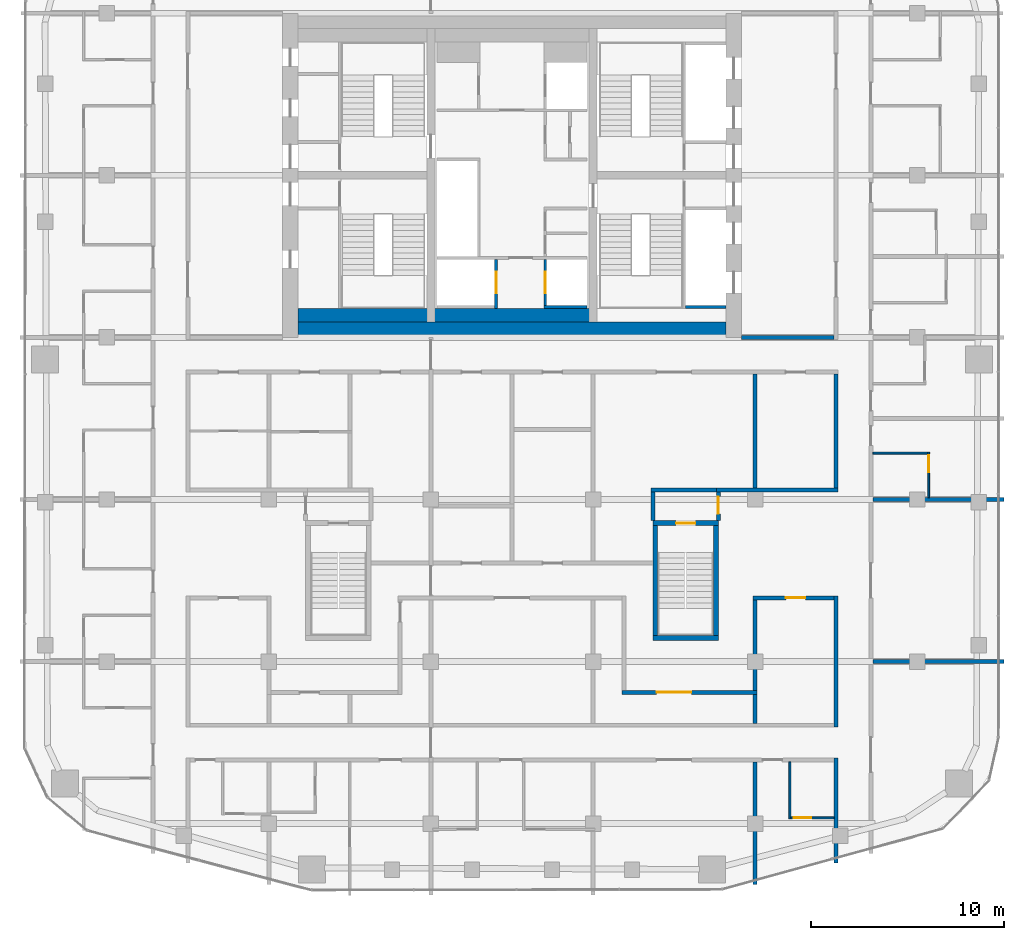
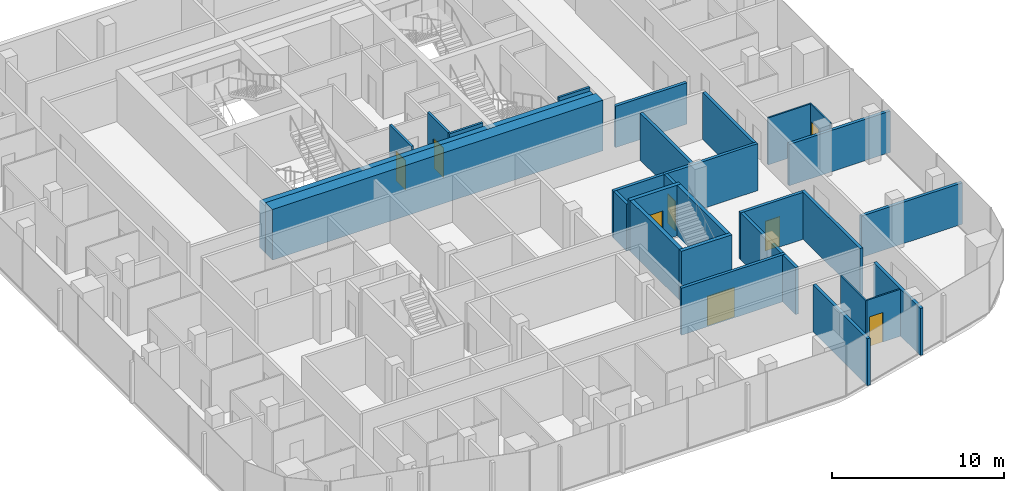
# One storey, part 16 of 21: 30 walls, 8 doors, 8 openings.
"""IFC4 building model written with IfcOpenShell, lengths in metres."""

import ifcopenshell
import ifcopenshell.guid

model = None  # the IFC model being written
_history = None  # IfcOwnerHistory: only IFC2X3 demands one
_inside = {}  # id of a spatial element -> (the spatial element, [elements in it])
_under = {}  # id of a project, library or spatial element -> (it, [spatial elements below it])
_declared = {}  # id of a project -> (the project, [libraries it declares])
_typed = {}  # id of a type object -> (the type object, [elements of that type])
_made_of = {}  # id of a material, layer set ... -> (it, [elements and type objects made of it])


def new_model(schema):
    """Start an empty IFC model of exactly this schema.

    Asked for "IFC4X3", IfcOpenShell would pick the latest addendum, in which some entities
    have other attributes; the version numbers below select the first issue.
    IFC2X3 requires an IfcOwnerHistory on every rooted entity: one is made here for all.
    """
    global model, _history
    if schema == "IFC4X3":
        model = ifcopenshell.file(schema_version=(4, 3, 0, 0))
    else:
        model = ifcopenshell.file(schema=schema)
    _inside.clear()
    _under.clear()
    _declared.clear()
    _typed.clear()
    _made_of.clear()
    _history = None
    if model.schema == "IFC2X3":
        org = make("IfcOrganization", Name="unknown")
        user = make(
            "IfcPersonAndOrganization",
            ThePerson=make("IfcPerson", FamilyName="unknown"),
            TheOrganization=org,
        )
        app = make(
            "IfcApplication",
            ApplicationDeveloper=org,
            Version="unknown",
            ApplicationFullName="unknown",
            ApplicationIdentifier="unknown",
        )
        _history = make(
            "IfcOwnerHistory",
            OwningUser=user,
            OwningApplication=app,
            ChangeAction="ADDED",
            CreationDate=0,
        )
    return model


def make(cls, **values):
    """One entity of the class cls with the attributes given. An attribute that is None is left unset."""
    return model.create_entity(
        cls, **{name: value for name, value in values.items() if value is not None}
    )


def rooted(cls, **values):
    """An entity with a GlobalId (a new one), such as an element, a storey or a relation."""
    return make(cls, GlobalId=ifcopenshell.guid.new(), OwnerHistory=_history, **values)


def si_unit(unit_type, name, prefix=None):
    """IfcSIUnit, for example si_unit("LENGTHUNIT", "METRE", prefix="MILLI")."""
    return make("IfcSIUnit", UnitType=unit_type, Prefix=prefix, Name=name)


def assignment(units):
    """IfcUnitAssignment: the units of a project."""
    return None if units is None else make("IfcUnitAssignment", Units=units)


def point(xyz):
    """IfcCartesianPoint."""
    return None if xyz is None else make("IfcCartesianPoint", Coordinates=xyz)


def direction(xyz):
    """IfcDirection."""
    return None if xyz is None else make("IfcDirection", DirectionRatios=xyz)


def frame(location, z_axis=None, x_axis=None):
    """IfcAxis2Placement3D, a coordinate frame: its origin and axes. An axis left out is left unset."""
    return make(
        "IfcAxis2Placement3D",
        Location=point(location),
        Axis=direction(z_axis),
        RefDirection=direction(x_axis),
    )


def frame_2d(location, x_axis=None):
    """IfcAxis2Placement2D, a coordinate frame in the plane: its origin and x axis."""
    return make(
        "IfcAxis2Placement2D", Location=point(location), RefDirection=direction(x_axis)
    )


def origin():
    """The frame at (0, 0, 0) with its axes left unset."""
    return frame((0.0, 0.0, 0.0))


def place(relative_to, where):
    """IfcLocalPlacement: puts the frame where relative to a parent placement (None: the world)."""
    return make(
        "IfcLocalPlacement", PlacementRelTo=relative_to, RelativePlacement=where
    )


def context(
    kind, dimensions, precision=None, world=None, true_north=None, identifier=None
):
    """IfcGeometricRepresentationContext, for example the 3D "Model" context."""
    return make(
        "IfcGeometricRepresentationContext",
        ContextIdentifier=identifier,
        ContextType=kind,
        CoordinateSpaceDimension=dimensions,
        Precision=precision,
        WorldCoordinateSystem=world,
        TrueNorth=true_north,
    )


def subcontext(parent, identifier, kind, view, scale=None):
    """IfcGeometricRepresentationSubContext, for example "Body" below "Model"."""
    return make(
        "IfcGeometricRepresentationSubContext",
        ContextIdentifier=identifier,
        ContextType=kind,
        ParentContext=parent,
        TargetScale=scale,
        TargetView=view,
    )


def project(units=None, contexts=None):
    """IfcProject with its units and contexts."""
    return rooted(
        "IfcProject",
        Name="project",
        RepresentationContexts=contexts,
        UnitsInContext=assignment(units),
    )


def spatial(cls, under=None, at=None, **own):
    """A site, building, storey or space (cls), placed at a placement, below another one or the project."""
    s = rooted(cls, ObjectPlacement=at, **own)
    if under is not None:
        _under.setdefault(under.id(), (under, []))[1].append(s)
    return s


def profile(cls, at=None, kind="AREA", **sizes):
    """A parametric profile (cls). Its sizes go by their IFC names, for example OverallWidth=200.0."""
    return make(cls, ProfileType=kind, Position=at, **sizes)


def rectangle(**sizes):
    """IfcRectangleProfileDef."""
    return profile("IfcRectangleProfileDef", **sizes)


def extrude(swept, where, along, depth):
    """IfcExtrudedAreaSolid: the profile swept, set in the frame where, extruded along a direction by depth."""
    return make(
        "IfcExtrudedAreaSolid",
        SweptArea=swept,
        Position=where,
        ExtrudedDirection=direction(along),
        Depth=depth,
    )


def shape(context_of_items, identifier, shape_type, items):
    """IfcShapeRepresentation: the items that make up one representation, for example the "Body"."""
    return make(
        "IfcShapeRepresentation",
        ContextOfItems=context_of_items,
        RepresentationIdentifier=identifier,
        RepresentationType=shape_type,
        Items=items,
    )


def material(Name=None, Category=None):
    """IfcMaterial."""
    return make("IfcMaterial", Name=Name, Category=Category)


def layer(
    of_material, thickness, ventilated=None, Name=None, Category=None, Priority=None
):
    """IfcMaterialLayer: one layer of a wall or slab, of a material (None: an air gap)."""
    return make(
        "IfcMaterialLayer",
        Material=of_material,
        LayerThickness=thickness,
        IsVentilated=ventilated,
        Name=Name,
        Category=Category,
        Priority=Priority,
    )


def layer_set(layers, Name=None):
    """IfcMaterialLayerSet."""
    return make("IfcMaterialLayerSet", MaterialLayers=layers, LayerSetName=Name)


def made_of(thing, what):
    """Note that an element or type object is made of a material, layer set ...; save() writes the relation."""
    if what is not None:
        _made_of.setdefault(what.id(), (what, []))[1].append(thing)
    return thing


def type_object(cls, material=None, **own):
    """A type object (cls), such as IfcWallType, which elements share."""
    return made_of(rooted(cls, **own), material)


def element(
    cls,
    number,
    at=None,
    inside=None,
    cuts=None,
    type_object=None,
    material=None,
    context=None,
    identifier="Body",
    shape_type=None,
    held_by="IfcProductDefinitionShape",
    body=None,
    shapes=None,
    **own,
):
    """One element of the class cls, such as IfcWall. Its Tag is "e" and its number.

    at: its placement. inside: the storey or other place that contains it. cuts: it is an
    opening in that element (IfcRelVoidsElement). A single representation is given by context,
    identifier, shape_type and body (its items); several are given by shapes. held_by: the class
    of the entity that holds the representations. save() writes the other relations.
    """
    e = rooted(cls, Tag="e%d" % number, ObjectPlacement=at, **own)
    if body is not None:
        shapes = [shape(context, identifier, shape_type, body)]
    if shapes is not None:
        e.Representation = make(held_by, Representations=shapes)
    if inside is not None:
        _inside.setdefault(inside.id(), (inside, []))[1].append(e)
    if cuts is not None:
        rooted(
            "IfcRelVoidsElement", RelatingBuildingElement=cuts, RelatedOpeningElement=e
        )
    if type_object is not None:
        _typed.setdefault(type_object.id(), (type_object, []))[1].append(e)
    return made_of(e, material)


def fill(opening, filler):
    """IfcRelFillsElement: the door or window that sits in an opening."""
    return rooted(
        "IfcRelFillsElement",
        RelatingOpeningElement=opening,
        RelatedBuildingElement=filler,
    )


def aggregate(whole, parts):
    """IfcRelAggregates: a whole, such as a stair, and the parts it consists of."""
    return rooted("IfcRelAggregates", RelatingObject=whole, RelatedObjects=parts)


def save(model, path):
    """Write the relations noted so far, then the file.

    IfcRelAggregates (storeys below a building ...), IfcRelContainedInSpatialStructure (elements
    in a storey), IfcRelDefinesByType, IfcRelAssociatesMaterial and IfcRelDeclares: one each for
    every whole, place, type object, material and project.
    """
    for whole, parts in _under.values():
        aggregate(whole, parts)
    for where, things in _inside.values():
        rooted(
            "IfcRelContainedInSpatialStructure",
            RelatedElements=things,
            RelatingStructure=where,
        )
    for kind, things in _typed.values():
        rooted("IfcRelDefinesByType", RelatedObjects=things, RelatingType=kind)
    for what, things in _made_of.values():
        rooted("IfcRelAssociatesMaterial", RelatedObjects=things, RelatingMaterial=what)
    for by, libraries in _declared.values():
        rooted("IfcRelDeclares", RelatingContext=by, RelatedDefinitions=libraries)
    model.write(path)


model = new_model("IFC4")

# Units and contexts
model_context = context("Model", 3, precision=1e-05, world=origin(), true_north=direction((0.0, 1.0)))
body_context = subcontext(model_context, "Body", "Model", "MODEL_VIEW")
ifc_project = project(units=[si_unit("LENGTHUNIT", "METRE"), si_unit("AREAUNIT", "SQUARE_METRE"), si_unit("VOLUMEUNIT", "CUBIC_METRE"), si_unit("PLANEANGLEUNIT", "RADIAN"), si_unit("MASSUNIT", "GRAM", prefix="KILO")], contexts=[model_context])

# Site, building, storey
site_placement = place(None, origin())
site = spatial("IfcSite", under=ifc_project, at=site_placement, CompositionType="ELEMENT")
building_placement = place(site_placement, origin())
building = spatial("IfcBuilding", under=site, at=building_placement, Name="Marenta Gate Hotel Tower", CompositionType="ELEMENT")
storey_placement = place(building_placement, frame((0.0, 0.0, 245.300048828125)))
storey = spatial("IfcBuildingStorey", under=building, at=storey_placement, Name="L58", CompositionType="ELEMENT", Elevation=245.300048828125)

# Walls
ifc_material_1 = material(Name="Concrete blockwork", Category="masonry")
ifc_layer_1 = layer(ifc_material_1, 0.199951171875)
ifc_layer_set_1 = layer_set([ifc_layer_1], Name="Concrete blockwork")
wall_type_1 = type_object("IfcWallType", Name="Core boundary wall 200 REI 180", PredefinedType="PARTITIONING", material=ifc_layer_set_1)
wall_1_placement = place(storey_placement, frame((11.89990234375, 0.0, 0.0), z_axis=(0.0, 0.0, 1.0), x_axis=(1.0, 0.0, 0.0)))
element("IfcWall", 1, at=wall_1_placement, inside=storey, type_object=wall_type_1, Name="L58-CP-EW-ES", PredefinedType="PARTITIONING", context=body_context, shape_type="SweptSolid", body=[
    extrude(rectangle(XDim=4.800048828125, YDim=0.199951171875, at=frame_2d((2.39990234375, 0.0))), origin(), (0.0, 0.0, 1.0), 2.93994140625),
])
ifc_material_2 = material(Name="Concrete C40", Category="concrete")
ifc_layer_2 = layer(ifc_material_2, 0.699951171875)
ifc_layer_set_2 = layer_set([ifc_layer_2], Name="Concrete C40")
wall_type_2 = type_object("IfcWallType", Name="Core lining wall 700 REI 180", PredefinedType="PARTITIONING", material=ifc_layer_set_2)
wall_2_placement = place(storey_placement, frame((-11.10009765625, 1.14990234375, 0.0), z_axis=(0.0, 0.0, 1.0), x_axis=(1.0, 0.0, 0.0)))
element("IfcWall", 2, at=wall_2_placement, inside=storey, type_object=wall_type_2, Name="L58-CP-LN-S", PredefinedType="PARTITIONING", context=body_context, shape_type="SweptSolid", body=[
    extrude(rectangle(XDim=22.2001953125, YDim=0.699951171875, at=frame_2d((11.10009765625, 0.0))), origin(), (0.0, 0.0, 1.0), 3.33984375),
])
ifc_material_3 = material(Name="Concrete C40", Category="concrete")
ifc_layer_3 = layer(ifc_material_3, 0.14990234375)
ifc_layer_set_3 = layer_set([ifc_layer_3], Name="Concrete C40")
wall_type_3 = type_object("IfcWallType", Name="Core shaft wall 150 REI 180", PredefinedType="SHEAR", material=ifc_layer_set_3)
wall_3_placement = place(storey_placement, frame((9.0, 1.574951171875, 0.0), z_axis=(0.0, 0.0, 1.0), x_axis=(1.0, 0.0, 0.0)))
element("IfcWall", 3, at=wall_3_placement, inside=storey, type_object=wall_type_3, Name="L58-SHF-SW-ES-5", PredefinedType="SHEAR", context=body_context, shape_type="SweptSolid", body=[
    extrude(rectangle(XDim=2.10009765625, YDim=0.14990234375, at=frame_2d((1.050048828125, 0.0))), origin(), (0.0, 0.0, 1.0), 3.599853515625),
])

# Wall, opening, door
wall_4_placement = place(storey_placement, frame((-0.824951171875, 1.5, 0.0), z_axis=(0.0, 0.0, 1.0), x_axis=(0.0, 1.0, 0.0)))
wall_4 = element("IfcWall", 4, at=wall_4_placement, inside=storey, type_object=wall_type_3, Name="L58-SHF-CW-W-ff", PredefinedType="SHEAR", context=body_context, shape_type="SweptSolid", body=[
    extrude(rectangle(XDim=2.550048828125, YDim=0.14990234375, at=frame_2d((1.27490234375, 0.0))), origin(), (0.0, 0.0, 1.0), 3.599853515625),
])
opening_1_placement = place(wall_4_placement, frame((0.800048828125, 0.0, 0.0)))
opening_1 = element("IfcOpeningElement", 5, at=opening_1_placement, cuts=wall_4, Name="Opening LD-FF1", PredefinedType="OPENING", context=body_context, shape_type="SweptSolid", body=[
    extrude(rectangle(XDim=1.10009765625, YDim=2.10009765625, at=frame_2d((0.550048828125, 1.050048828125))), frame((0.0, 0.074951171875, 0.0), z_axis=(0.0, -1.0, 0.0), x_axis=(1.0, 0.0, 0.0)), (0.0, 0.0, 1.0), 0.14990234375),
])
ifc_material_4 = material(Name="Steel", Category="steel")
door_type_1 = type_object("IfcDoorType", Name="Core lift landing door 1100x2100 E 60", OperationType="SLIDING_TO_LEFT", PredefinedType="DOOR", material=ifc_material_4)
door_1_placement = place(opening_1_placement, origin())
door_1 = element("IfcDoor", 6, at=door_1_placement, inside=storey, type_object=door_type_1, Name="LD-FF1", OperationType="SLIDING_TO_LEFT", OverallHeight=2.10009765625, OverallWidth=1.10009765625, PredefinedType="DOOR", context=body_context, shape_type="SweptSolid", body=[
    extrude(rectangle(XDim=1.10009765625, YDim=2.10009765625, at=frame_2d((0.550048828125, 1.050048828125))), frame((0.0, 0.02490234375, 0.0), z_axis=(0.0, -1.0, 0.0), x_axis=(1.0, 0.0, 0.0)), (0.0, 0.0, 1.0), 0.050048828125),
])
fill(opening_1, door_1)

wall_5_placement = place(storey_placement, frame((1.72509765625, 1.64990234375, 0.0), z_axis=(0.0, 0.0, 1.0), x_axis=(0.0, 1.0, 0.0)))
wall_5 = element("IfcWall", 7, at=wall_5_placement, inside=storey, type_object=wall_type_3, Name="L58-SHF-CE-S-ls", PredefinedType="SHEAR", context=body_context, shape_type="SweptSolid", body=[
    extrude(rectangle(XDim=2.400146484375, YDim=0.14990234375, at=frame_2d((1.2001953125, 0.0))), origin(), (0.0, 0.0, 1.0), 3.599853515625),
])
opening_2_placement = place(wall_5_placement, frame((0.64990234375, 0.0, 0.0)))
opening_2 = element("IfcOpeningElement", 8, at=opening_2_placement, cuts=wall_5, Name="Opening LD-SV1", PredefinedType="OPENING", context=body_context, shape_type="SweptSolid", body=[
    extrude(rectangle(XDim=1.10009765625, YDim=2.10009765625, at=frame_2d((0.550048828125, 1.050048828125))), frame((0.0, 0.074951171875, 0.0), z_axis=(0.0, -1.0, 0.0), x_axis=(1.0, 0.0, 0.0)), (0.0, 0.0, 1.0), 0.14990234375),
])
door_2_placement = place(opening_2_placement, origin())
door_2 = element("IfcDoor", 9, at=door_2_placement, inside=storey, type_object=door_type_1, Name="LD-SV1", OperationType="SLIDING_TO_LEFT", OverallHeight=2.10009765625, OverallWidth=1.10009765625, PredefinedType="DOOR", context=body_context, shape_type="SweptSolid", body=[
    extrude(rectangle(XDim=1.10009765625, YDim=2.10009765625, at=frame_2d((0.550048828125, 1.050048828125))), frame((0.0, 0.02490234375, 0.0), z_axis=(0.0, -1.0, 0.0), x_axis=(1.0, 0.0, 0.0)), (0.0, 0.0, 1.0), 0.050048828125),
])
fill(opening_2, door_2)

# Walls
wall_6_placement = place(storey_placement, frame((1.64990234375, 1.574951171875, 0.0), z_axis=(0.0, 0.0, 1.0), x_axis=(1.0, 0.0, 0.0)))
element("IfcWall", 10, at=wall_6_placement, inside=storey, type_object=wall_type_3, Name="L58-SHF-CE-S-bot", PredefinedType="SHEAR", context=body_context, shape_type="SweptSolid", body=[
    extrude(rectangle(XDim=2.25, YDim=0.14990234375, at=frame_2d((1.125, 0.0))), origin(), (0.0, 0.0, 1.0), 3.599853515625),
])
ifc_material_5 = material(Name="Concrete C60", Category="concrete")
ifc_layer_4 = layer(ifc_material_5, 0.800048828125)
ifc_layer_set_4 = layer_set([ifc_layer_4], Name="Concrete C60")
wall_type_4 = type_object("IfcWallType", Name="Core wall 800 C60", PredefinedType="SHEAR", material=ifc_layer_set_4)
wall_7_placement = place(storey_placement, frame((-11.10009765625, 0.39990234375, 0.0), z_axis=(0.0, 0.0, 1.0), x_axis=(1.0, 0.0, 0.0)))
element("IfcWall", 11, at=wall_7_placement, inside=storey, type_object=wall_type_4, Name="L58-CORE-S", PredefinedType="SHEAR", context=body_context, shape_type="SweptSolid", body=[
    extrude(rectangle(XDim=22.2001953125, YDim=0.800048828125, at=frame_2d((11.10009765625, 0.0))), origin(), (0.0, 0.0, 1.0), 3.599853515625),
])
ifc_material_6 = material(Name="Concrete C40", Category="concrete")
ifc_layer_5 = layer(ifc_material_6, 0.25)
ifc_layer_set_5 = layer_set([ifc_layer_5], Name="Concrete C40")
wall_type_5 = type_object("IfcWallType", Name="Remote stair enclosure wall 250 REI 180", PredefinedType="SHEAR", material=ifc_layer_set_5)
wall_8_placement = place(storey_placement, frame((7.300048828125, -15.574951171875, 0.099853515625), z_axis=(0.0, 0.0, 1.0), x_axis=(1.0, 0.0, 0.0)))
element("IfcWall", 12, at=wall_8_placement, inside=storey, type_object=wall_type_5, Name="L58-RS-Z3-2-W1", PredefinedType="SHEAR", context=body_context, shape_type="SweptSolid", body=[
    extrude(rectangle(XDim=3.39990234375, YDim=0.25, at=frame_2d((1.699951171875, 0.0))), origin(), (0.0, 0.0, 1.0), 3.60009765625),
])

# Wall, opening, door
wall_9_placement = place(storey_placement, frame((7.300048828125, -9.625, 0.099853515625), z_axis=(0.0, 0.0, 1.0), x_axis=(1.0, 0.0, 0.0)))
wall_9 = element("IfcWall", 13, at=wall_9_placement, inside=storey, type_object=wall_type_5, Name="L58-RS-Z3-2-W2", PredefinedType="SHEAR", context=body_context, shape_type="SweptSolid", body=[
    extrude(rectangle(XDim=3.39990234375, YDim=0.25, at=frame_2d((1.699951171875, 0.0))), origin(), (0.0, 0.0, 1.0), 3.60009765625),
])
opening_3_placement = place(wall_9_placement, frame((1.199951171875, 0.0, 0.0)))
opening_3 = element("IfcOpeningElement", 14, at=opening_3_placement, cuts=wall_9, Name="Opening VD", PredefinedType="OPENING", context=body_context, shape_type="SweptSolid", body=[
    extrude(rectangle(XDim=1.0, YDim=2.10009765625, at=frame_2d((0.5, 1.050048828125))), frame((0.0, 0.125, 0.0), z_axis=(0.0, -1.0, 0.0), x_axis=(1.0, 0.0, 0.0)), (0.0, 0.0, 1.0), 0.25),
])
ifc_material_7 = material(Name="Steel", Category="steel")
door_type_2 = type_object("IfcDoorType", Name="Stair vestibule door 1000x2100 FD60", OperationType="SINGLE_SWING_LEFT", PredefinedType="DOOR", material=ifc_material_7)
door_3_placement = place(opening_3_placement, origin())
door_3 = element("IfcDoor", 15, at=door_3_placement, inside=storey, type_object=door_type_2, Name="VD", OperationType="SINGLE_SWING_LEFT", OverallHeight=2.10009765625, OverallWidth=1.0, PredefinedType="DOOR", context=body_context, shape_type="SweptSolid", body=[
    extrude(rectangle(XDim=1.0, YDim=2.10009765625, at=frame_2d((0.5, 1.050048828125))), frame((0.0, 0.02490234375, 0.0), z_axis=(0.0, -1.0, 0.0), x_axis=(1.0, 0.0, 0.0)), (0.0, 0.0, 1.0), 0.050048828125),
])
fill(opening_3, door_3)

# Walls
for number, where, z_axis, x_axis, name in (
    (16, (7.425048828125, -15.449951171875, 0.099853515625), (0.0, 0.0, 1.0), (0.0, 1.0, 0.0), "L58-RS-Z3-2-W3"),
    (17, (10.574951171875, -15.449951171875, 0.099853515625), (0.0, 0.0, 1.0), (0.0, 1.0, 0.0), "L58-RS-Z3-2-W4"),
):
    element("IfcWall", number, at=place(storey_placement, frame(where, z_axis=z_axis, x_axis=x_axis)), inside=storey, type_object=wall_type_5, Name=name, PredefinedType="SHEAR", context=body_context, shape_type="SweptSolid", body=[
        extrude(rectangle(XDim=5.699951171875, YDim=0.25, at=frame_2d((2.85009765625, 0.0))), origin(), (0.0, 0.0, 1.0), 3.60009765625),
    ])

# Wall, opening, door
ifc_material_8 = material(Name="Gypsum board on steel stud", Category="steel")
ifc_layer_6 = layer(ifc_material_8, 0.199951171875)
ifc_layer_set_6 = layer_set([ifc_layer_6], Name="Gypsum board on steel stud")
wall_type_6 = type_object("IfcWallType", Name="Room corridor wall 200 EI 60", PredefinedType="PARTITIONING", material=ifc_layer_set_6)
wall_10_placement = place(storey_placement, frame((5.699951171875, -18.39990234375, 0.0), z_axis=(0.0, 0.0, 1.0), x_axis=(1.0, 0.0, 0.0)))
wall_10 = element("IfcWall", 18, at=wall_10_placement, inside=storey, type_object=wall_type_6, Name="L58-PTN-W019", PredefinedType="PARTITIONING", context=body_context, shape_type="SweptSolid", body=[
    extrude(rectangle(XDim=7.0, YDim=0.199951171875, at=frame_2d((3.5, 0.0))), origin(), (0.0, 0.0, 1.0), 3.33984375),
])
opening_4_placement = place(wall_10_placement, frame((1.800048828125, 0.0, 0.0)))
opening_4 = element("IfcOpeningElement", 19, at=opening_4_placement, cuts=wall_10, Name="Opening G21-12", PredefinedType="OPENING", context=body_context, shape_type="SweptSolid", body=[
    extrude(rectangle(XDim=1.800048828125, YDim=2.10009765625, at=frame_2d((0.89990234375, 1.050048828125))), frame((0.0, 0.10009765625, 0.0), z_axis=(0.0, -1.0, 0.0), x_axis=(1.0, 0.0, 0.0)), (0.0, 0.0, 1.0), 0.199951171875),
])
ifc_material_9 = material(Name="Timber door leaf", Category="wood")
door_type_3 = type_object("IfcDoorType", Name="Room amenity door 1800x2100 EI 30", OperationType="DOUBLE_DOOR_SINGLE_SWING", PredefinedType="DOOR", material=ifc_material_9)
door_4_placement = place(opening_4_placement, origin())
door_4 = element("IfcDoor", 20, at=door_4_placement, inside=storey, type_object=door_type_3, Name="L58-PD-D012", OperationType="DOUBLE_DOOR_SINGLE_SWING", OverallHeight=2.10009765625, OverallWidth=1.800048828125, PredefinedType="DOOR", context=body_context, shape_type="SweptSolid", body=[
    extrude(rectangle(XDim=1.800048828125, YDim=2.10009765625, at=frame_2d((0.89990234375, 1.050048828125))), frame((0.0, 0.02490234375, 0.0), z_axis=(0.0, -1.0, 0.0), x_axis=(1.0, 0.0, 0.0)), (0.0, 0.0, 1.0), 0.050048828125),
])
fill(opening_4, door_4)

# Walls
wall_11_placement = place(storey_placement, frame((16.800048828125, -27.22900390625, 0.0), z_axis=(0.0, 0.0, 1.0), x_axis=(0.0, 1.0, 0.0)))
element("IfcWall", 21, at=wall_11_placement, inside=storey, type_object=wall_type_6, Name="L58-PTN-W020", PredefinedType="PARTITIONING", context=body_context, shape_type="SweptSolid", body=[
    extrude(rectangle(XDim=5.428955078125, YDim=0.199951171875, at=frame_2d((2.71435546875, 0.0))), origin(), (0.0, 0.0, 1.0), 3.33984375),
])
wall_12_placement = place(storey_placement, frame((16.800048828125, -20.199951171875, 0.0), z_axis=(0.0, 0.0, 1.0), x_axis=(0.0, 1.0, 0.0)))
element("IfcWall", 22, at=wall_12_placement, inside=storey, type_object=wall_type_6, Name="L58-PTN-W021", PredefinedType="PARTITIONING", context=body_context, shape_type="SweptSolid", body=[
    extrude(rectangle(XDim=6.800048828125, YDim=0.199951171875, at=frame_2d((3.39990234375, 0.0))), origin(), (0.0, 0.0, 1.0), 3.33984375),
])
wall_13_placement = place(storey_placement, frame((16.800048828125, -7.800048828125, 0.0), z_axis=(0.0, 0.0, 1.0), x_axis=(0.0, 1.0, 0.0)))
element("IfcWall", 23, at=wall_13_placement, inside=storey, type_object=wall_type_6, Name="L58-PTN-W022", PredefinedType="PARTITIONING", context=body_context, shape_type="SweptSolid", body=[
    extrude(rectangle(XDim=5.900146484375, YDim=0.199951171875, at=frame_2d((2.9501953125, 0.0))), origin(), (0.0, 0.0, 1.0), 3.33984375),
])

# Wall, opening, door
wall_14_placement = place(storey_placement, frame((12.5, -13.5, 0.0), z_axis=(0.0, 0.0, 1.0), x_axis=(1.0, 0.0, 0.0)))
wall_14 = element("IfcWall", 24, at=wall_14_placement, inside=storey, type_object=wall_type_6, Name="L58-PTN-W030", PredefinedType="PARTITIONING", context=body_context, shape_type="SweptSolid", body=[
    extrude(rectangle(XDim=4.199951171875, YDim=0.199951171875, at=frame_2d((2.10009765625, 0.0))), origin(), (0.0, 0.0, 1.0), 3.33984375),
])
opening_5_placement = place(wall_14_placement, frame((1.699951171875, 0.0, 0.0)))
opening_5 = element("IfcOpeningElement", 25, at=opening_5_placement, cuts=wall_14, Name="Opening G21-13", PredefinedType="OPENING", context=body_context, shape_type="SweptSolid", body=[
    extrude(rectangle(XDim=1.0, YDim=2.10009765625, at=frame_2d((0.5, 1.050048828125))), frame((0.0, 0.10009765625, 0.0), z_axis=(0.0, -1.0, 0.0), x_axis=(1.0, 0.0, 0.0)), (0.0, 0.0, 1.0), 0.199951171875),
])
ifc_material_10 = material(Name="Timber door leaf", Category="wood")
door_type_4 = type_object("IfcDoorType", Name="Room amenity door 1000x2100 EI 30", OperationType="NOTDEFINED", PredefinedType="DOOR", material=ifc_material_10)
door_5_placement = place(opening_5_placement, origin())
door_5 = element("IfcDoor", 26, at=door_5_placement, inside=storey, type_object=door_type_4, Name="L58-PD-D013", OperationType="SINGLE_SWING_LEFT", OverallHeight=2.10009765625, OverallWidth=1.0, PredefinedType="DOOR", context=body_context, shape_type="SweptSolid", body=[
    extrude(rectangle(XDim=1.0, YDim=2.10009765625, at=frame_2d((0.5, 1.050048828125))), frame((0.0, 0.02490234375, 0.0), z_axis=(0.0, -1.0, 0.0), x_axis=(1.0, 0.0, 0.0)), (0.0, 0.0, 1.0), 0.050048828125),
])
fill(opening_5, door_5)

# Walls
wall_15_placement = place(storey_placement, frame((12.60009765625, -18.300048828125, 0.0), z_axis=(0.0, 0.0, 1.0), x_axis=(0.0, 1.0, 0.0)))
element("IfcWall", 27, at=wall_15_placement, inside=storey, type_object=wall_type_6, Name="L58-PTN-W035", PredefinedType="PARTITIONING", context=body_context, shape_type="SweptSolid", body=[
    extrude(rectangle(XDim=4.699951171875, YDim=0.199951171875, at=frame_2d((2.35009765625, 0.0))), origin(), (0.0, 0.0, 1.0), 3.33984375),
])
wall_16_placement = place(storey_placement, frame((10.60009765625, -7.89990234375, 0.0), z_axis=(0.0, 0.0, 1.0), x_axis=(1.0, 0.0, 0.0)))
element("IfcWall", 28, at=wall_16_placement, inside=storey, type_object=wall_type_6, Name="L58-PTN-W044", PredefinedType="PARTITIONING", context=body_context, shape_type="SweptSolid", body=[
    extrude(rectangle(XDim=6.2998046875, YDim=0.199951171875, at=frame_2d((3.14990234375, 0.0))), origin(), (0.0, 0.0, 1.0), 3.33984375),
])

# Wall, opening, door
ifc_material_11 = material(Name="Concrete blockwork", Category="masonry")
ifc_layer_7 = layer(ifc_material_11, 0.199951171875)
ifc_layer_set_7 = layer_set([ifc_layer_7], Name="Concrete blockwork")
wall_type_7 = type_object("IfcWallType", Name="Room corridor wall 200 REI 180", PredefinedType="PARTITIONING", material=ifc_layer_set_7)
wall_17_placement = place(storey_placement, frame((10.699951171875, -9.5, 0.0), z_axis=(0.0, 0.0, 1.0), x_axis=(0.0, 1.0, 0.0)))
wall_17 = element("IfcWall", 29, at=wall_17_placement, inside=storey, type_object=wall_type_7, Name="L58-PTN-W038", PredefinedType="PARTITIONING", context=body_context, shape_type="SweptSolid", body=[
    extrude(rectangle(XDim=1.5, YDim=0.199951171875, at=frame_2d((0.75, 0.0))), origin(), (0.0, 0.0, 1.0), 3.33984375),
])
opening_6_placement = place(wall_17_placement, frame((0.35009765625, 0.0, 0.0)))
opening_6 = element("IfcOpeningElement", 30, at=opening_6_placement, cuts=wall_17, Name="Opening G21-62", PredefinedType="OPENING", context=body_context, shape_type="SweptSolid", body=[
    extrude(rectangle(XDim=0.89990234375, YDim=2.10009765625, at=frame_2d((0.449951171875, 1.050048828125))), frame((0.0, 0.10009765625, 0.0), z_axis=(0.0, -1.0, 0.0), x_axis=(1.0, 0.0, 0.0)), (0.0, 0.0, 1.0), 0.199951171875),
])
ifc_material_12 = material(Name="Hollow steel door set", Category="steel")
door_type_5 = type_object("IfcDoorType", Name="Stair vestibule door 900x2100 EI 60", OperationType="NOTDEFINED", PredefinedType="DOOR", material=ifc_material_12)
door_6_placement = place(opening_6_placement, origin())
door_6 = element("IfcDoor", 31, at=door_6_placement, inside=storey, type_object=door_type_5, Name="L58-PD-D062", OperationType="SINGLE_SWING_RIGHT", OverallHeight=2.10009765625, OverallWidth=0.89990234375, PredefinedType="DOOR", context=body_context, shape_type="SweptSolid", body=[
    extrude(rectangle(XDim=0.89990234375, YDim=2.10009765625, at=frame_2d((0.449951171875, 1.050048828125))), frame((0.0, 0.02490234375, 0.0), z_axis=(0.0, -1.0, 0.0), x_axis=(1.0, 0.0, 0.0)), (0.0, 0.0, 1.0), 0.050048828125),
])
fill(opening_6, door_6)

ifc_material_13 = material(Name="Gypsum board on steel stud", Category="steel")
ifc_layer_8 = layer(ifc_material_13, 0.10009765625)
ifc_layer_set_8 = layer_set([ifc_layer_8], Name="Gypsum board on steel stud")
wall_type_8 = type_object("IfcWallType", Name="Room partition 100", PredefinedType="PARTITIONING", material=ifc_layer_set_8)
wall_18_placement = place(storey_placement, frame((14.449951171875, -24.89990234375, 0.0), z_axis=(0.0, 0.0, 1.0), x_axis=(1.0, 0.0, 0.0)))
wall_18 = element("IfcWall", 32, at=wall_18_placement, inside=storey, type_object=wall_type_8, Name="L58-PTN-W003", PredefinedType="PARTITIONING", context=body_context, shape_type="SweptSolid", body=[
    extrude(rectangle(XDim=2.25, YDim=0.10009765625, at=frame_2d((1.125, 0.0))), origin(), (0.0, 0.0, 1.0), 3.33984375),
])
opening_7_placement = place(wall_18_placement, frame((0.14990234375, 0.0, 0.0)))
opening_7 = element("IfcOpeningElement", 33, at=opening_7_placement, cuts=wall_18, Name="Opening G21-43", PredefinedType="OPENING", context=body_context, shape_type="SweptSolid", body=[
    extrude(rectangle(XDim=0.89990234375, YDim=2.10009765625, at=frame_2d((0.449951171875, 1.050048828125))), frame((0.0, 0.050048828125, 0.0), z_axis=(0.0, -1.0, 0.0), x_axis=(1.0, 0.0, 0.0)), (0.0, 0.0, 1.0), 0.10009765625),
])
ifc_material_14 = material(Name="Timber door leaf", Category="wood")
door_type_6 = type_object("IfcDoorType", Name="Guest bathroom door 900x2100", OperationType="NOTDEFINED", PredefinedType="DOOR", material=ifc_material_14)
door_7_placement = place(opening_7_placement, origin())
door_7 = element("IfcDoor", 34, at=door_7_placement, inside=storey, type_object=door_type_6, Name="L58-PD-D043", OperationType="SINGLE_SWING_LEFT", OverallHeight=2.10009765625, OverallWidth=0.89990234375, PredefinedType="DOOR", context=body_context, shape_type="SweptSolid", body=[
    extrude(rectangle(XDim=0.89990234375, YDim=2.10009765625, at=frame_2d((0.449951171875, 1.050048828125))), frame((0.0, 0.02490234375, 0.0), z_axis=(0.0, -1.0, 0.0), x_axis=(1.0, 0.0, 0.0)), (0.0, 0.0, 1.0), 0.050048828125),
])
fill(opening_7, door_7)

wall_19_placement = place(storey_placement, frame((21.60009765625, -8.300048828125, 0.0), z_axis=(0.0, 0.0, 1.0), x_axis=(0.0, 1.0, 0.0)))
wall_19 = element("IfcWall", 35, at=wall_19_placement, inside=storey, type_object=wall_type_8, Name="L58-PTN-W012", PredefinedType="PARTITIONING", context=body_context, shape_type="SweptSolid", body=[
    extrude(rectangle(XDim=2.35009765625, YDim=0.10009765625, at=frame_2d((1.175048828125, 0.0))), origin(), (0.0, 0.0, 1.0), 3.33984375),
])
opening_8_placement = place(wall_19_placement, frame((1.300048828125, 0.0, 0.0)))
opening_8 = element("IfcOpeningElement", 36, at=opening_8_placement, cuts=wall_19, Name="Opening G21-17", PredefinedType="OPENING", context=body_context, shape_type="SweptSolid", body=[
    extrude(rectangle(XDim=0.89990234375, YDim=2.10009765625, at=frame_2d((0.449951171875, 1.050048828125))), frame((0.0, 0.050048828125, 0.0), z_axis=(0.0, -1.0, 0.0), x_axis=(1.0, 0.0, 0.0)), (0.0, 0.0, 1.0), 0.10009765625),
])
door_8_placement = place(opening_8_placement, origin())
door_8 = element("IfcDoor", 37, at=door_8_placement, inside=storey, type_object=door_type_6, Name="L58-PD-D017", OperationType="SINGLE_SWING_RIGHT", OverallHeight=2.10009765625, OverallWidth=0.89990234375, PredefinedType="DOOR", context=body_context, shape_type="SweptSolid", body=[
    extrude(rectangle(XDim=0.89990234375, YDim=2.10009765625, at=frame_2d((0.449951171875, 1.050048828125))), frame((0.0, 0.02490234375, 0.0), z_axis=(0.0, -1.0, 0.0), x_axis=(1.0, 0.0, 0.0)), (0.0, 0.0, 1.0), 0.050048828125),
])
fill(opening_8, door_8)

# Walls
wall_20_placement = place(storey_placement, frame((14.39990234375, -24.949951171875, 0.0), z_axis=(0.0, 0.0, 1.0), x_axis=(0.0, 1.0, 0.0)))
element("IfcWall", 38, at=wall_20_placement, inside=storey, type_object=wall_type_8, Name="L58-PTN-W026", PredefinedType="PARTITIONING", context=body_context, shape_type="SweptSolid", body=[
    extrude(rectangle(XDim=2.949951171875, YDim=0.10009765625, at=frame_2d((1.47509765625, 0.0))), origin(), (0.0, 0.0, 1.0), 3.33984375),
])
wall_21_placement = place(storey_placement, frame((18.699951171875, -6.0, 0.0), z_axis=(0.0, 0.0, 1.0), x_axis=(1.0, 0.0, 0.0)))
element("IfcWall", 39, at=wall_21_placement, inside=storey, type_object=wall_type_8, Name="L58-PTN-W048", PredefinedType="PARTITIONING", context=body_context, shape_type="SweptSolid", body=[
    extrude(rectangle(XDim=2.85009765625, YDim=0.10009765625, at=frame_2d((1.425048828125, 0.0))), origin(), (0.0, 0.0, 1.0), 3.33984375),
])
ifc_material_15 = material(Name="Gypsum board on steel stud", Category="steel")
ifc_layer_9 = layer(ifc_material_15, 0.199951171875)
ifc_layer_set_9 = layer_set([ifc_layer_9], Name="Gypsum board on steel stud")
wall_type_9 = type_object("IfcWallType", Name="Room party wall 200 EI 60", PredefinedType="PARTITIONING", material=ifc_layer_set_9)
wall_22_placement = place(storey_placement, frame((18.699951171875, -16.800048828125, 0.0), z_axis=(0.0, 0.0, 1.0), x_axis=(1.0, 0.0, 0.0)))
element("IfcWall", 40, at=wall_22_placement, inside=storey, type_object=wall_type_9, Name="L58-PTN-W025", PredefinedType="PARTITIONING", context=body_context, shape_type="SweptSolid", body=[
    extrude(rectangle(XDim=6.800048828125, YDim=0.199951171875, at=frame_2d((3.39990234375, 0.0))), origin(), (0.0, 0.0, 1.0), 2.93994140625),
])
wall_23_placement = place(storey_placement, frame((12.60009765625, -28.343017578125, 0.0), z_axis=(0.0, 0.0, 1.0), x_axis=(0.0, 1.0, 0.0)))
element("IfcWall", 41, at=wall_23_placement, inside=storey, type_object=wall_type_9, Name="L58-PTN-W031", PredefinedType="PARTITIONING", context=body_context, shape_type="SweptSolid", body=[
    extrude(rectangle(XDim=6.343017578125, YDim=0.199951171875, at=frame_2d((3.17138671875, 0.0))), origin(), (0.0, 0.0, 1.0), 3.33984375),
])
wall_24_placement = place(storey_placement, frame((12.60009765625, -20.0, 0.0), z_axis=(0.0, 0.0, 1.0), x_axis=(0.0, 1.0, 0.0)))
element("IfcWall", 42, at=wall_24_placement, inside=storey, type_object=wall_type_9, Name="L58-PTN-W032", PredefinedType="PARTITIONING", context=body_context, shape_type="SweptSolid", body=[
    extrude(rectangle(XDim=1.5, YDim=0.199951171875, at=frame_2d((0.75, 0.0))), origin(), (0.0, 0.0, 1.0), 3.33984375),
])
wall_25_placement = place(storey_placement, frame((12.60009765625, -7.800048828125, 0.0), z_axis=(0.0, 0.0, 1.0), x_axis=(0.0, 1.0, 0.0)))
element("IfcWall", 43, at=wall_25_placement, inside=storey, type_object=wall_type_9, Name="L58-PTN-W033", PredefinedType="PARTITIONING", context=body_context, shape_type="SweptSolid", body=[
    extrude(rectangle(XDim=5.900146484375, YDim=0.199951171875, at=frame_2d((2.9501953125, 0.0))), origin(), (0.0, 0.0, 1.0), 3.33984375),
])
wall_26_placement = place(storey_placement, frame((18.699951171875, -8.39990234375, 0.0), z_axis=(0.0, 0.0, 1.0), x_axis=(1.0, 0.0, 0.0)))
element("IfcWall", 44, at=wall_26_placement, inside=storey, type_object=wall_type_9, Name="L58-PTN-W042", PredefinedType="PARTITIONING", context=body_context, shape_type="SweptSolid", body=[
    extrude(rectangle(XDim=6.800048828125, YDim=0.199951171875, at=frame_2d((3.39990234375, 0.0))), origin(), (0.0, 0.0, 1.0), 2.93994140625),
])
ifc_material_16 = material(Name="Concrete blockwork", Category="masonry")
ifc_layer_10 = layer(ifc_material_16, 0.199951171875)
ifc_layer_set_10 = layer_set([ifc_layer_10], Name="Concrete blockwork")
wall_type_10 = type_object("IfcWallType", Name="Room party wall 200 REI 180", PredefinedType="PARTITIONING", material=ifc_layer_set_10)
wall_27_placement = place(storey_placement, frame((7.199951171875, -7.89990234375, 0.0), z_axis=(0.0, 0.0, 1.0), x_axis=(1.0, 0.0, 0.0)))
element("IfcWall", 45, at=wall_27_placement, inside=storey, type_object=wall_type_10, Name="L58-PTN-W046", PredefinedType="PARTITIONING", context=body_context, shape_type="SweptSolid", body=[
    extrude(rectangle(XDim=3.400146484375, YDim=0.199951171875, at=frame_2d((1.7001953125, 0.0))), origin(), (0.0, 0.0, 1.0), 3.33984375),
])
wall_28_placement = place(storey_placement, frame((7.300048828125, -9.5, 0.0), z_axis=(0.0, 0.0, 1.0), x_axis=(0.0, 1.0, 0.0)))
element("IfcWall", 46, at=wall_28_placement, inside=storey, type_object=wall_type_10, Name="L58-PTN-W047", PredefinedType="PARTITIONING", context=body_context, shape_type="SweptSolid", body=[
    extrude(rectangle(XDim=1.5, YDim=0.199951171875, at=frame_2d((0.75, 0.0))), origin(), (0.0, 0.0, 1.0), 3.33984375),
])

save(model, "model.ifc")
